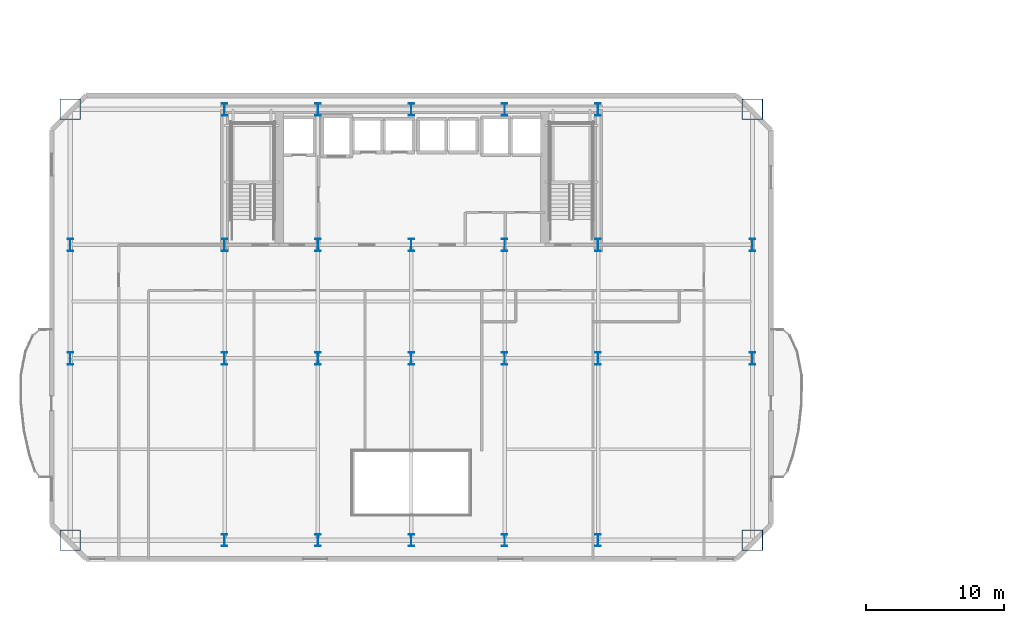
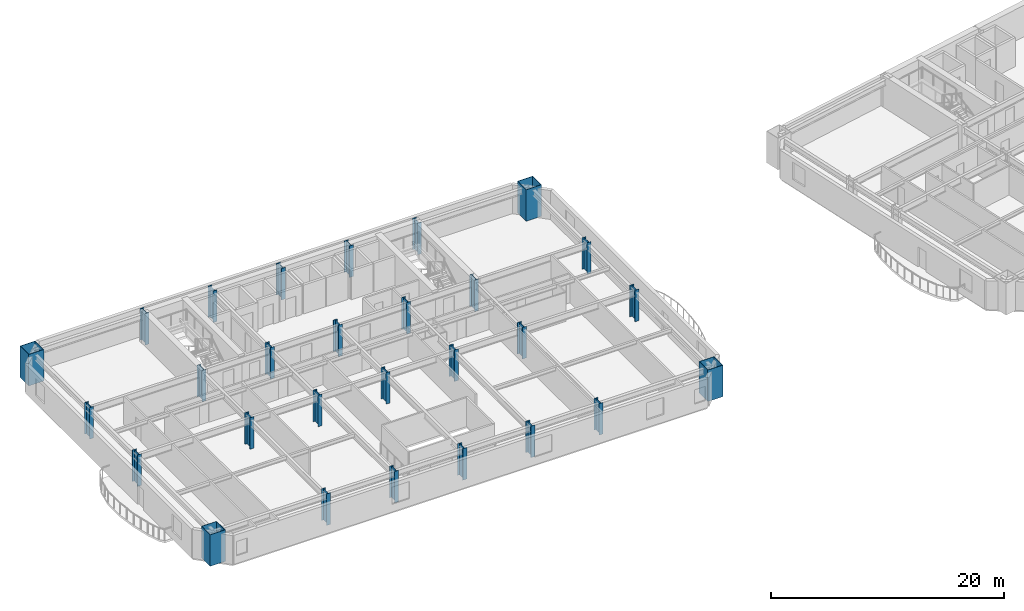
# One storey, part 1 of 16: 28 columns.
"""IFC4 building model written with IfcOpenShell, lengths in metres."""

import ifcopenshell
import ifcopenshell.guid

model = None  # the IFC model being written
_history = None  # IfcOwnerHistory: only IFC2X3 demands one
_inside = {}  # id of a spatial element -> (the spatial element, [elements in it])
_under = {}  # id of a project, library or spatial element -> (it, [spatial elements below it])
_declared = {}  # id of a project -> (the project, [libraries it declares])
_typed = {}  # id of a type object -> (the type object, [elements of that type])
_made_of = {}  # id of a material, layer set ... -> (it, [elements and type objects made of it])


def new_model(schema):
    """Start an empty IFC model of exactly this schema.

    Asked for "IFC4X3", IfcOpenShell would pick the latest addendum, in which some entities
    have other attributes; the version numbers below select the first issue.
    IFC2X3 requires an IfcOwnerHistory on every rooted entity: one is made here for all.
    """
    global model, _history
    if schema == "IFC4X3":
        model = ifcopenshell.file(schema_version=(4, 3, 0, 0))
    else:
        model = ifcopenshell.file(schema=schema)
    _inside.clear()
    _under.clear()
    _declared.clear()
    _typed.clear()
    _made_of.clear()
    _history = None
    if model.schema == "IFC2X3":
        org = make("IfcOrganization", Name="unknown")
        user = make(
            "IfcPersonAndOrganization",
            ThePerson=make("IfcPerson", FamilyName="unknown"),
            TheOrganization=org,
        )
        app = make(
            "IfcApplication",
            ApplicationDeveloper=org,
            Version="unknown",
            ApplicationFullName="unknown",
            ApplicationIdentifier="unknown",
        )
        _history = make(
            "IfcOwnerHistory",
            OwningUser=user,
            OwningApplication=app,
            ChangeAction="ADDED",
            CreationDate=0,
        )
    return model


def make(cls, **values):
    """One entity of the class cls with the attributes given. An attribute that is None is left unset."""
    return model.create_entity(
        cls, **{name: value for name, value in values.items() if value is not None}
    )


def rooted(cls, **values):
    """An entity with a GlobalId (a new one), such as an element, a storey or a relation."""
    return make(cls, GlobalId=ifcopenshell.guid.new(), OwnerHistory=_history, **values)


def si_unit(unit_type, name, prefix=None):
    """IfcSIUnit, for example si_unit("LENGTHUNIT", "METRE", prefix="MILLI")."""
    return make("IfcSIUnit", UnitType=unit_type, Prefix=prefix, Name=name)


def assignment(units):
    """IfcUnitAssignment: the units of a project."""
    return None if units is None else make("IfcUnitAssignment", Units=units)


def point(xyz):
    """IfcCartesianPoint."""
    return None if xyz is None else make("IfcCartesianPoint", Coordinates=xyz)


def direction(xyz):
    """IfcDirection."""
    return None if xyz is None else make("IfcDirection", DirectionRatios=xyz)


def frame(location, z_axis=None, x_axis=None):
    """IfcAxis2Placement3D, a coordinate frame: its origin and axes. An axis left out is left unset."""
    return make(
        "IfcAxis2Placement3D",
        Location=point(location),
        Axis=direction(z_axis),
        RefDirection=direction(x_axis),
    )


def frame_2d(location, x_axis=None):
    """IfcAxis2Placement2D, a coordinate frame in the plane: its origin and x axis."""
    return make(
        "IfcAxis2Placement2D", Location=point(location), RefDirection=direction(x_axis)
    )


def origin():
    """The frame at (0, 0, 0) with its axes left unset."""
    return frame((0.0, 0.0, 0.0))


def origin_2d():
    """The frame at (0, 0) in the plane with its x axis left unset."""
    return frame_2d((0.0, 0.0))


def place(relative_to, where):
    """IfcLocalPlacement: puts the frame where relative to a parent placement (None: the world)."""
    return make(
        "IfcLocalPlacement", PlacementRelTo=relative_to, RelativePlacement=where
    )


def context(
    kind, dimensions, precision=None, world=None, true_north=None, identifier=None
):
    """IfcGeometricRepresentationContext, for example the 3D "Model" context."""
    return make(
        "IfcGeometricRepresentationContext",
        ContextIdentifier=identifier,
        ContextType=kind,
        CoordinateSpaceDimension=dimensions,
        Precision=precision,
        WorldCoordinateSystem=world,
        TrueNorth=true_north,
    )


def subcontext(parent, identifier, kind, view, scale=None):
    """IfcGeometricRepresentationSubContext, for example "Body" below "Model"."""
    return make(
        "IfcGeometricRepresentationSubContext",
        ContextIdentifier=identifier,
        ContextType=kind,
        ParentContext=parent,
        TargetScale=scale,
        TargetView=view,
    )


def project(units=None, contexts=None):
    """IfcProject with its units and contexts."""
    return rooted(
        "IfcProject",
        Name="project",
        RepresentationContexts=contexts,
        UnitsInContext=assignment(units),
    )


def spatial(cls, under=None, at=None, **own):
    """A site, building, storey or space (cls), placed at a placement, below another one or the project."""
    s = rooted(cls, ObjectPlacement=at, **own)
    if under is not None:
        _under.setdefault(under.id(), (under, []))[1].append(s)
    return s


def profile(cls, at=None, kind="AREA", **sizes):
    """A parametric profile (cls). Its sizes go by their IFC names, for example OverallWidth=200.0."""
    return make(cls, ProfileType=kind, Position=at, **sizes)


def hollow_rectangle(**sizes):
    """IfcRectangleHollowProfileDef."""
    return profile("IfcRectangleHollowProfileDef", **sizes)


def i_section(**sizes):
    """IfcIShapeProfileDef."""
    return profile("IfcIShapeProfileDef", **sizes)


def extrude(swept, where, along, depth):
    """IfcExtrudedAreaSolid: the profile swept, set in the frame where, extruded along a direction by depth."""
    return make(
        "IfcExtrudedAreaSolid",
        SweptArea=swept,
        Position=where,
        ExtrudedDirection=direction(along),
        Depth=depth,
    )


def shape(context_of_items, identifier, shape_type, items):
    """IfcShapeRepresentation: the items that make up one representation, for example the "Body"."""
    return make(
        "IfcShapeRepresentation",
        ContextOfItems=context_of_items,
        RepresentationIdentifier=identifier,
        RepresentationType=shape_type,
        Items=items,
    )


def material(Name=None, Category=None):
    """IfcMaterial."""
    return make("IfcMaterial", Name=Name, Category=Category)


def material_profile(
    of_material, cross_section, Name=None, Category=None, Priority=None
):
    """IfcMaterialProfile: a cross section and its material."""
    return make(
        "IfcMaterialProfile",
        Name=Name,
        Material=of_material,
        Profile=cross_section,
        Priority=Priority,
        Category=Category,
    )


def profile_set(profiles, Name=None, composite=None):
    """IfcMaterialProfileSet."""
    return make(
        "IfcMaterialProfileSet",
        Name=Name,
        MaterialProfiles=profiles,
        CompositeProfile=composite,
    )


def made_of(thing, what):
    """Note that an element or type object is made of a material, layer set ...; save() writes the relation."""
    if what is not None:
        _made_of.setdefault(what.id(), (what, []))[1].append(thing)
    return thing


def type_object(cls, material=None, **own):
    """A type object (cls), such as IfcWallType, which elements share."""
    return made_of(rooted(cls, **own), material)


def element(
    cls,
    number,
    at=None,
    inside=None,
    cuts=None,
    type_object=None,
    material=None,
    context=None,
    identifier="Body",
    shape_type=None,
    held_by="IfcProductDefinitionShape",
    body=None,
    shapes=None,
    **own,
):
    """One element of the class cls, such as IfcWall. Its Tag is "e" and its number.

    at: its placement. inside: the storey or other place that contains it. cuts: it is an
    opening in that element (IfcRelVoidsElement). A single representation is given by context,
    identifier, shape_type and body (its items); several are given by shapes. held_by: the class
    of the entity that holds the representations. save() writes the other relations.
    """
    e = rooted(cls, Tag="e%d" % number, ObjectPlacement=at, **own)
    if body is not None:
        shapes = [shape(context, identifier, shape_type, body)]
    if shapes is not None:
        e.Representation = make(held_by, Representations=shapes)
    if inside is not None:
        _inside.setdefault(inside.id(), (inside, []))[1].append(e)
    if cuts is not None:
        rooted(
            "IfcRelVoidsElement", RelatingBuildingElement=cuts, RelatedOpeningElement=e
        )
    if type_object is not None:
        _typed.setdefault(type_object.id(), (type_object, []))[1].append(e)
    return made_of(e, material)


def aggregate(whole, parts):
    """IfcRelAggregates: a whole, such as a stair, and the parts it consists of."""
    return rooted("IfcRelAggregates", RelatingObject=whole, RelatedObjects=parts)


def save(model, path):
    """Write the relations noted so far, then the file.

    IfcRelAggregates (storeys below a building ...), IfcRelContainedInSpatialStructure (elements
    in a storey), IfcRelDefinesByType, IfcRelAssociatesMaterial and IfcRelDeclares: one each for
    every whole, place, type object, material and project.
    """
    for whole, parts in _under.values():
        aggregate(whole, parts)
    for where, things in _inside.values():
        rooted(
            "IfcRelContainedInSpatialStructure",
            RelatedElements=things,
            RelatingStructure=where,
        )
    for kind, things in _typed.values():
        rooted("IfcRelDefinesByType", RelatedObjects=things, RelatingType=kind)
    for what, things in _made_of.values():
        rooted("IfcRelAssociatesMaterial", RelatedObjects=things, RelatingMaterial=what)
    for by, libraries in _declared.values():
        rooted("IfcRelDeclares", RelatingContext=by, RelatedDefinitions=libraries)
    model.write(path)


model = new_model("IFC4")

# Units and contexts
model_context = context("Model", 3, precision=1e-05, world=origin(), true_north=direction((0.0, 1.0)))
body_context = subcontext(model_context, "Body", "Model", "MODEL_VIEW")
ifc_project = project(units=[si_unit("LENGTHUNIT", "METRE"), si_unit("AREAUNIT", "SQUARE_METRE"), si_unit("VOLUMEUNIT", "CUBIC_METRE"), si_unit("PLANEANGLEUNIT", "RADIAN"), si_unit("MASSUNIT", "GRAM", prefix="KILO")], contexts=[model_context])

# Site, building, storey
site_placement = place(None, origin())
site = spatial("IfcSite", under=ifc_project, at=site_placement, CompositionType="ELEMENT")
building_placement = place(site_placement, origin())
building = spatial("IfcBuilding", under=site, at=building_placement, Name="Haevon Station Towers", CompositionType="ELEMENT")
storey_placement = place(building_placement, frame((0.0, 0.0, 53.699951171875)))
storey = spatial("IfcBuildingStorey", under=building, at=storey_placement, Name="L13", CompositionType="ELEMENT", Elevation=53.699951171875)

# Columns
ifc_material = material(Name="Steel S460", Category="steel")
ifc_material_profile_1 = material_profile(ifc_material, hollow_rectangle(XDim=1.5, YDim=1.5, WallThickness=0.0400390625, at=origin_2d()), Name="BOX-1500x1500x40")
ifc_profile_set_1 = profile_set([ifc_material_profile_1], Name="Steel S460")
column_type_1 = type_object("IfcColumnType", Name="COL-MC2", PredefinedType="COLUMN", material=ifc_profile_set_1)
for number, where, z_axis, x_axis, name in (
    (1, (12.85009765625, 16.85009765625, 0.0), (0.0, 0.0, 1.0), (1.0, 0.0, 0.0), "COL-T1-L13-01-01"),
    (2, (12.85009765625, 48.0, 0.0), (0.0, 0.0, 1.0), (1.0, 0.0, 0.0), "COL-T1-L13-01-04"),
    (3, (62.14990234375, 16.85009765625, 0.0), (0.0, 0.0, 1.0), (1.0, 0.0, 0.0), "COL-T1-L13-07-01"),
    (4, (62.14990234375, 48.0, 0.0), (0.0, 0.0, 1.0), (1.0, 0.0, 0.0), "COL-T1-L13-07-04"),
):
    element("IfcColumn", number, at=place(storey_placement, frame(where, z_axis=z_axis, x_axis=x_axis)), inside=storey, type_object=column_type_1, Name=name, PredefinedType="COLUMN", context=body_context, shape_type="SweptSolid", body=[
        extrude(hollow_rectangle(XDim=1.5, YDim=1.5, WallThickness=0.0400390625, at=origin_2d()), origin(), (0.0, 0.0, 1.0), 3.300048828125),
    ])
ifc_material_profile_2 = material_profile(ifc_material, i_section(OverallWidth=0.39990234375, OverallDepth=0.89990234375, WebThickness=0.02001953125, FlangeThickness=0.035888671875, at=origin_2d()), Name="H-900x400x20x36")
ifc_profile_set_2 = profile_set([ifc_material_profile_2], Name="Steel S460")
column_type_2 = type_object("IfcColumnType", Name="COL-TW1", PredefinedType="COLUMN", material=ifc_profile_set_2)
for number, where, z_axis, x_axis, name in (
    (5, (12.85009765625, 30.0, 0.0), (0.0, 0.0, 1.0), (1.0, 0.0, 0.0), "COL-T1-L13-01-02"),
    (6, (12.85009765625, 38.199951171875, 0.0), (0.0, 0.0, 1.0), (1.0, 0.0, 0.0), "COL-T1-L13-01-03"),
    (7, (24.0, 16.85009765625, 0.0), (0.0, 0.0, 1.0), (1.0, 0.0, 0.0), "COL-T1-L13-02-01"),
    (8, (24.0, 30.0, 0.0), (0.0, 0.0, 1.0), (1.0, 0.0, 0.0), "COL-T1-L13-02-02"),
    (9, (24.0, 38.199951171875, 0.0), (0.0, 0.0, 1.0), (1.0, 0.0, 0.0), "COL-T1-L13-02-03"),
    (10, (24.0, 48.0, 0.0), (0.0, 0.0, 1.0), (1.0, 0.0, 0.0), "COL-T1-L13-02-04"),
    (11, (30.75, 16.85009765625, 0.0), (0.0, 0.0, 1.0), (1.0, 0.0, 0.0), "COL-T1-L13-03-01"),
    (12, (30.75, 30.0, 0.0), (0.0, 0.0, 1.0), (1.0, 0.0, 0.0), "COL-T1-L13-03-02"),
    (13, (30.75, 38.199951171875, 0.0), (0.0, 0.0, 1.0), (1.0, 0.0, 0.0), "COL-T1-L13-03-03"),
    (14, (30.75, 48.0, 0.0), (0.0, 0.0, 1.0), (1.0, 0.0, 0.0), "COL-T1-L13-03-04"),
    (15, (37.5, 16.85009765625, 0.0), (0.0, 0.0, 1.0), (1.0, 0.0, 0.0), "COL-T1-L13-04-01"),
    (16, (37.5, 30.0, 0.0), (0.0, 0.0, 1.0), (1.0, 0.0, 0.0), "COL-T1-L13-04-02"),
    (17, (37.5, 38.199951171875, 0.0), (0.0, 0.0, 1.0), (1.0, 0.0, 0.0), "COL-T1-L13-04-03"),
    (18, (37.5, 48.0, 0.0), (0.0, 0.0, 1.0), (1.0, 0.0, 0.0), "COL-T1-L13-04-04"),
    (19, (44.25, 16.85009765625, 0.0), (0.0, 0.0, 1.0), (1.0, 0.0, 0.0), "COL-T1-L13-05-01"),
    (20, (44.25, 30.0, 0.0), (0.0, 0.0, 1.0), (1.0, 0.0, 0.0), "COL-T1-L13-05-02"),
    (21, (44.25, 38.199951171875, 0.0), (0.0, 0.0, 1.0), (1.0, 0.0, 0.0), "COL-T1-L13-05-03"),
    (22, (44.25, 48.0, 0.0), (0.0, 0.0, 1.0), (1.0, 0.0, 0.0), "COL-T1-L13-05-04"),
    (23, (51.0, 16.85009765625, 0.0), (0.0, 0.0, 1.0), (1.0, 0.0, 0.0), "COL-T1-L13-06-01"),
    (24, (51.0, 30.0, 0.0), (0.0, 0.0, 1.0), (1.0, 0.0, 0.0), "COL-T1-L13-06-02"),
    (25, (51.0, 38.199951171875, 0.0), (0.0, 0.0, 1.0), (1.0, 0.0, 0.0), "COL-T1-L13-06-03"),
    (26, (51.0, 48.0, 0.0), (0.0, 0.0, 1.0), (1.0, 0.0, 0.0), "COL-T1-L13-06-04"),
    (27, (62.14990234375, 30.0, 0.0), (0.0, 0.0, 1.0), (1.0, 0.0, 0.0), "COL-T1-L13-07-02"),
    (28, (62.14990234375, 38.199951171875, 0.0), (0.0, 0.0, 1.0), (1.0, 0.0, 0.0), "COL-T1-L13-07-03"),
):
    element("IfcColumn", number, at=place(storey_placement, frame(where, z_axis=z_axis, x_axis=x_axis)), inside=storey, type_object=column_type_2, Name=name, PredefinedType="COLUMN", context=body_context, shape_type="SweptSolid", body=[
        extrude(i_section(OverallWidth=0.39990234375, OverallDepth=0.89990234375, WebThickness=0.02001953125, FlangeThickness=0.035888671875, at=origin_2d()), origin(), (0.0, 0.0, 1.0), 3.300048828125),
    ])

save(model, "model.ifc")
